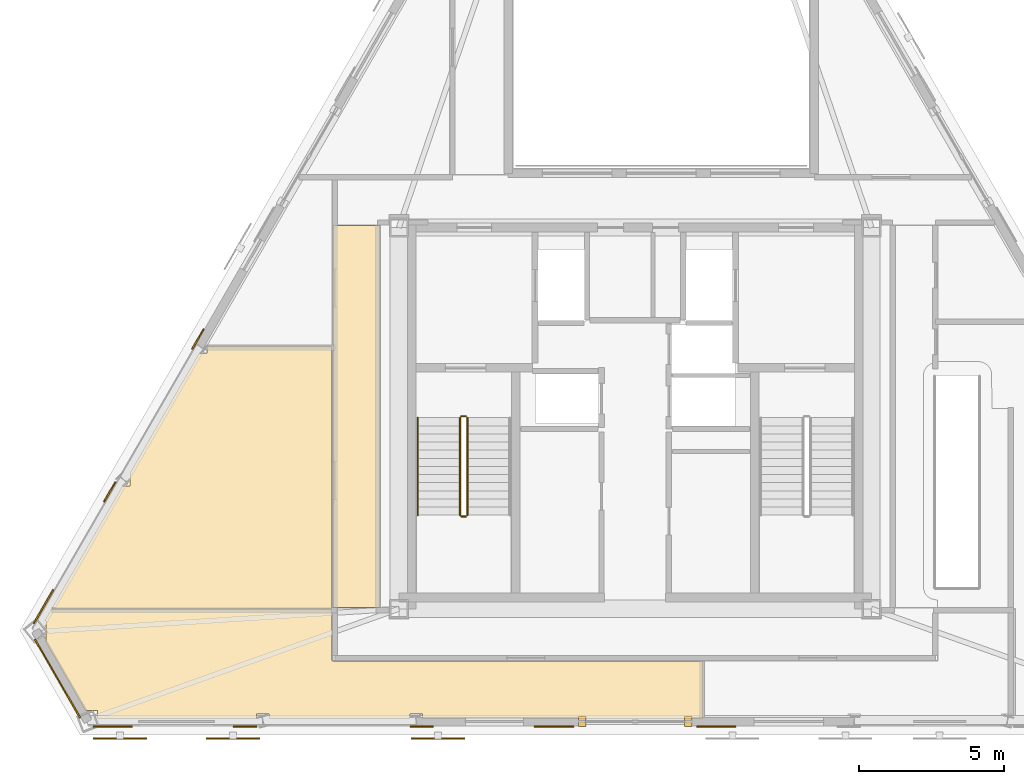
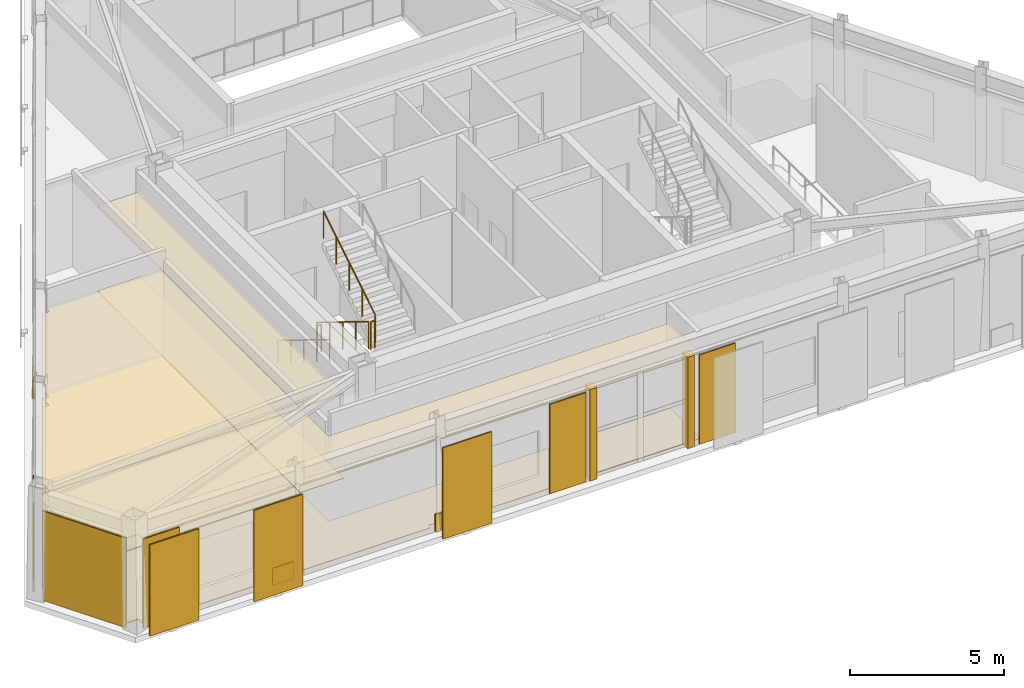
# One storey, part 12 of 14: 17 coverings, 5 railings, 3 shading devices.
"""IFC4 building model written with IfcOpenShell, lengths in metres."""

from ifc_helpers import new_model, si_unit, direction, frame, origin, origin_2d, place, context, subcontext, project, spatial, polyline, rectangle, circle, outline, extrude, material, layer, layer_set, type_object, element, save


model = new_model("IFC4")

# Units and contexts
model_context = context("Model", 3, precision=1e-05, world=origin(), true_north=direction((0.0, 1.0)))
body_context = subcontext(model_context, "Body", "Model", "MODEL_VIEW")
ifc_project = project(units=[si_unit("LENGTHUNIT", "METRE"), si_unit("AREAUNIT", "SQUARE_METRE"), si_unit("VOLUMEUNIT", "CUBIC_METRE"), si_unit("PLANEANGLEUNIT", "RADIAN"), si_unit("MASSUNIT", "GRAM", prefix="KILO")], contexts=[model_context])

# Site, building, storey
site_placement = place(None, origin())
site = spatial("IfcSite", under=ifc_project, at=site_placement, CompositionType="ELEMENT")
building_placement = place(site_placement, origin())
building = spatial("IfcBuilding", under=site, at=building_placement, Name="Oramaril Tower", CompositionType="ELEMENT")
storey_placement = place(building_placement, frame((0.0, 0.0, 309.60009765625)))
storey = spatial("IfcBuildingStorey", under=building, at=storey_placement, Name="L81", CompositionType="ELEMENT", Elevation=309.60009765625)

# Coverings
ifc_material_1 = material(Name="Mineral Fibre Acoustic Ceiling")
ifc_layer_1 = layer(ifc_material_1, 0.02001953125)
ifc_layer_set_1 = layer_set([ifc_layer_1], Name="CVT-CEIL")
covering_type_1 = type_object("IfcCoveringType", Name="CVT-CEIL", PredefinedType="CEILING", material=ifc_layer_set_1)
covering_1_placement = place(storey_placement, frame((0.0, 0.0, 3.371826171875)))
element("IfcCovering", 1, at=covering_1_placement, inside=storey, type_object=covering_type_1, Name="L81 Acoustic Suspended Ceiling 3", PredefinedType="CEILING", context=body_context, shape_type="SweptSolid", body=[
    extrude(outline(polyline([(28.699951171875, 11.050048828125), (27.070068359375, 11.050048828125), (27.070068359375, 24.219970703125), (28.699951171875, 24.219970703125), (28.699951171875, 11.050048828125)])), origin(), (0.0, 0.0, 1.0), 0.02001953125),
])
covering_2_placement = place(storey_placement, frame((0.0, 0.0, 3.371826171875)))
element("IfcCovering", 2, at=covering_2_placement, inside=storey, type_object=covering_type_1, Name="L81 Acoustic Suspended Ceiling 6", PredefinedType="CEILING", context=body_context, shape_type="SweptSolid", body=[
    extrude(outline(polyline([(39.842041015625, 7.21728515625), (30.157958984375, 7.21728515625), (30.157958984375, 7.370849609375), (29.736572265625, 7.370849609375), (29.736572265625, 7.21728515625), (24.873779296875, 7.21728515625), (24.873779296875, 7.370849609375), (24.446533203125, 7.370849609375), (24.446533203125, 7.21728515625), (18.948486328125, 7.21728515625), (18.948486328125, 7.484375), (18.53662109375, 7.484375), (17.14990234375, 9.88623046875), (17.171142578125, 9.88623046875), (17.171142578125, 10.572021484375), (17.123291015625, 10.572021484375), (17.36572265625, 10.991943359375), (27.050048828125, 10.991943359375), (27.050048828125, 9.219970703125), (27.050048828125, 9.218017578125), (27.05029296875, 9.216064453125), (27.05078125, 9.214111328125), (27.051513671875, 9.21240234375), (27.052490234375, 9.210693359375), (27.053466796875, 9.208984375), (27.054443359375, 9.207275390625), (27.055908203125, 9.205810546875), (27.057373046875, 9.20458984375), (27.058837890625, 9.203369140625), (27.060546875, 9.202392578125), (27.062255859375, 9.201416015625), (27.064208984375, 9.200927734375), (27.066162109375, 9.200439453125), (27.068115234375, 9.2001953125), (27.070068359375, 9.199951171875), (39.842041015625, 9.199951171875), (39.842041015625, 7.21728515625)])), origin(), (0.0, 0.0, 1.0), 0.02001953125),
])
covering_3_placement = place(storey_placement, frame((0.0, 0.0, 3.371826171875)))
element("IfcCovering", 3, at=covering_3_placement, inside=storey, type_object=covering_type_1, Name="L81 Acoustic Suspended Ceiling 8", PredefinedType="CEILING", context=body_context, shape_type="SweptSolid", body=[
    extrude(outline(polyline([(19.81591796875, 15.235595703125), (20.080322265625, 15.235595703125), (20.080322265625, 15.6884765625), (20.077392578125, 15.6884765625), (22.460693359375, 19.816650390625), (22.725341796875, 19.816650390625), (22.725341796875, 20.0419921875), (27.050048828125, 20.0419921875), (27.050048828125, 11.050048828125), (27.050048828125, 11.048095703125), (27.05029296875, 11.046142578125), (27.05078125, 11.044189453125), (27.051513671875, 11.042236328125), (27.052490234375, 11.04052734375), (27.052734375, 11.0400390625), (27.052490234375, 11.039306640625), (27.051513671875, 11.03759765625), (27.05078125, 11.035888671875), (27.05029296875, 11.033935546875), (27.050048828125, 11.031982421875), (27.050048828125, 11.030029296875), (27.050048828125, 11.011962890625), (17.37744140625, 11.011962890625), (19.81591796875, 15.235595703125)])), origin(), (0.0, 0.0, 1.0), 0.02001953125),
])
ifc_material_2 = material(Name="Warm Cream Limestone", Category="masonry")
ifc_layer_2 = layer(ifc_material_2, 0.050048828125)
ifc_layer_set_2 = layer_set([ifc_layer_2], Name="CVT-CLD")
covering_type_2 = type_object("IfcCoveringType", Name="CVT-CLD", PredefinedType="CLADDING", material=ifc_layer_set_2)
covering_4_placement = place(storey_placement, frame((17.57568359375, 8.5966796875, 0.039794921875), z_axis=(0.0, 0.0, 1.0), x_axis=(0.499989419466, -0.866031512372, 0.0)))
element("IfcCovering", 4, at=covering_4_placement, inside=storey, type_object=covering_type_2, Name="L81 Warm Cream Limestone Cladding", PredefinedType="CLADDING", context=body_context, shape_type="SweptSolid", body=[
    extrude(rectangle(XDim=3.129150390625, YDim=0.050048828125, at=origin_2d()), origin(), (0.0, 0.0, 1.0), 3.5380859375),
])
for number, where, z_axis, x_axis, name in (
    (5, (35.669921875, 7.109130859375, 0.0), (0.0, 0.0, 1.0), (1.0, 0.0, 0.0), "L81 Curtain Wall Limestone Jamb Closure"),
    (6, (39.330078125, 7.109130859375, 0.0), (0.0, 0.0, 1.0), (1.0, 0.0, 0.0), "L81 Curtain Wall Limestone Jamb Closure"),
):
    element("IfcCovering", number, at=place(storey_placement, frame(where, z_axis=z_axis, x_axis=x_axis)), inside=storey, type_object=covering_type_2, Name=name, PredefinedType="CLADDING", context=body_context, shape_type="SweptSolid", body=[
        extrude(rectangle(XDim=0.260009765625, YDim=0.340087890625, at=origin_2d()), origin(), (0.0, 0.0, 1.0), 3.617919921875),
    ])
for number, where, z_axis, x_axis, name in (
    (7, (19.478515625, 6.941162109375, 0.039794921875), (0.0, 0.0, 1.0), (1.0, 0.0, 0.0), "L81 Warm Cream Limestone Cladding"),
    (8, (34.699951171875, 6.941162109375, 0.039794921875), (0.0, 0.0, 1.0), (1.0, 0.0, 0.0), "L81 Warm Cream Limestone Cladding"),
):
    element("IfcCovering", number, at=place(storey_placement, frame(where, z_axis=z_axis, x_axis=x_axis)), inside=storey, type_object=covering_type_2, Name=name, PredefinedType="CLADDING", context=body_context, shape_type="SweptSolid", body=[
        extrude(rectangle(XDim=1.35009765625, YDim=0.050048828125, at=origin_2d()), origin(), (0.0, 0.0, 1.0), 3.5380859375),
    ])
for number, where, z_axis, x_axis, name in (
    (9, (24.043212890625, 6.941162109375, 0.0400390625), (0.0, 0.0, 1.0), (1.0, 0.0, 0.0), "L81 Warm Cream Limestone Spandrel Cladding"),
    (10, (30.135009765625, 6.941162109375, 0.0400390625), (0.0, 0.0, 1.0), (1.0, 0.0, 0.0), "L81 Warm Cream Limestone Spandrel Cladding"),
):
    element("IfcCovering", number, at=place(storey_placement, frame(where, z_axis=z_axis, x_axis=x_axis)), inside=storey, type_object=covering_type_2, Name=name, PredefinedType="CLADDING", context=body_context, shape_type="SweptSolid", body=[
        extrude(rectangle(XDim=0.800048828125, YDim=0.050048828125, at=origin_2d()), origin(), (0.0, 0.0, 1.0), 0.679931640625),
    ])
for number, where, z_axis, x_axis, name in (
    (11, (40.300048828125, 6.941162109375, 0.039794921875), (0.0, 0.0, 1.0), (1.0, 0.0, 0.0), "L81 Warm Cream Limestone Cladding"),
    (12, (17.093505859375, 11.072265625, 0.039794921875), (0.0, 0.0, 1.0), (-0.5, -0.866025403784, 0.0), "L81 Warm Cream Limestone Cladding"),
):
    element("IfcCovering", number, at=place(storey_placement, frame(where, z_axis=z_axis, x_axis=x_axis)), inside=storey, type_object=covering_type_2, Name=name, PredefinedType="CLADDING", context=body_context, shape_type="SweptSolid", body=[
        extrude(rectangle(XDim=1.35009765625, YDim=0.050048828125, at=origin_2d()), origin(), (0.0, 0.0, 1.0), 3.5380859375),
    ])
for number, where, z_axis, x_axis, name in (
    (13, (22.421630859375, 20.30126953125, 0.0400390625), (0.0, 0.0, 1.0), (-0.5, -0.866025403784, 0.0), "L81 Warm Cream Limestone Spandrel Cladding"),
    (14, (19.375732421875, 15.025634765625, 0.0400390625), (0.0, 0.0, 1.0), (-0.5, -0.866025403784, 0.0), "L81 Warm Cream Limestone Spandrel Cladding"),
):
    element("IfcCovering", number, at=place(storey_placement, frame(where, z_axis=z_axis, x_axis=x_axis)), inside=storey, type_object=covering_type_2, Name=name, PredefinedType="CLADDING", context=body_context, shape_type="SweptSolid", body=[
        extrude(rectangle(XDim=0.800048828125, YDim=0.050048828125, at=origin_2d()), origin(), (0.0, 0.0, 1.0), 0.679931640625),
    ])
ifc_material_3 = material(Name="Honed Quartzite Stone Flooring", Category="masonry")
ifc_layer_3 = layer(ifc_material_3, 0.02490234375)
ifc_layer_set_3 = layer_set([ifc_layer_3], Name="CVT-FLR")
covering_type_3 = type_object("IfcCoveringType", Name="CVT-FLR", PredefinedType="FLOORING", material=ifc_layer_set_3)
covering_5_placement = place(storey_placement, origin())
element("IfcCovering", 15, at=covering_5_placement, inside=storey, type_object=covering_type_3, Name="L81 Honed Stone Floor Finish 3", PredefinedType="FLOORING", context=body_context, shape_type="SweptSolid", body=[
    extrude(outline(polyline([(28.699951171875, 11.050048828125), (27.070068359375, 11.050048828125), (27.070068359375, 24.219970703125), (28.699951171875, 24.219970703125), (28.699951171875, 11.050048828125)])), origin(), (0.0, 0.0, 1.0), 0.02490234375),
])
covering_6_placement = place(storey_placement, origin())
element("IfcCovering", 16, at=covering_6_placement, inside=storey, type_object=covering_type_3, Name="L81 Honed Stone Floor Finish 6", PredefinedType="FLOORING", context=body_context, shape_type="SweptSolid", body=[
    extrude(outline(polyline([(39.842041015625, 7.21728515625), (30.157958984375, 7.21728515625), (30.157958984375, 7.370849609375), (29.736572265625, 7.370849609375), (29.736572265625, 7.21728515625), (24.873779296875, 7.21728515625), (24.873779296875, 7.370849609375), (24.446533203125, 7.370849609375), (24.446533203125, 7.21728515625), (18.948486328125, 7.21728515625), (18.948486328125, 7.484375), (18.53662109375, 7.484375), (17.14990234375, 9.88623046875), (17.171142578125, 9.88623046875), (17.171142578125, 10.572021484375), (17.123291015625, 10.572021484375), (17.36572265625, 10.991943359375), (27.050048828125, 10.991943359375), (27.050048828125, 9.219970703125), (27.050048828125, 9.218017578125), (27.05029296875, 9.216064453125), (27.05078125, 9.214111328125), (27.051513671875, 9.21240234375), (27.052490234375, 9.210693359375), (27.053466796875, 9.208984375), (27.054443359375, 9.207275390625), (27.055908203125, 9.205810546875), (27.057373046875, 9.20458984375), (27.058837890625, 9.203369140625), (27.060546875, 9.202392578125), (27.062255859375, 9.201416015625), (27.064208984375, 9.200927734375), (27.066162109375, 9.200439453125), (27.068115234375, 9.2001953125), (27.070068359375, 9.199951171875), (39.842041015625, 9.199951171875), (39.842041015625, 7.21728515625)])), origin(), (0.0, 0.0, 1.0), 0.02490234375),
])
covering_7_placement = place(storey_placement, origin())
element("IfcCovering", 17, at=covering_7_placement, inside=storey, type_object=covering_type_3, Name="L81 Honed Stone Floor Finish 8", PredefinedType="FLOORING", context=body_context, shape_type="SweptSolid", body=[
    extrude(outline(polyline([(19.81591796875, 15.235595703125), (20.080322265625, 15.235595703125), (20.080322265625, 15.6884765625), (20.077392578125, 15.6884765625), (22.460693359375, 19.816650390625), (22.725341796875, 19.816650390625), (22.725341796875, 20.0419921875), (27.050048828125, 20.0419921875), (27.050048828125, 11.050048828125), (27.050048828125, 11.048095703125), (27.05029296875, 11.046142578125), (27.05078125, 11.044189453125), (27.051513671875, 11.042236328125), (27.052490234375, 11.04052734375), (27.052734375, 11.0400390625), (27.052490234375, 11.039306640625), (27.051513671875, 11.03759765625), (27.05078125, 11.035888671875), (27.05029296875, 11.033935546875), (27.050048828125, 11.031982421875), (27.050048828125, 11.030029296875), (27.050048828125, 11.011962890625), (17.37744140625, 11.011962890625), (19.81591796875, 15.235595703125)])), origin(), (0.0, 0.0, 1.0), 0.02490234375),
])

# Railings
ifc_material_4 = material(Name="Stainless Steel 316L", Category="steel")
railing_type_1 = type_object("IfcRailingType", Name="RLT-GRD", PredefinedType="GUARDRAIL", material=ifc_material_4)
railing_1_placement = place(storey_placement, frame((31.4599609375, 17.590087890625, 0.173095703125)))
element("IfcRailing", 18, at=railing_1_placement, inside=storey, type_object=railing_type_1, Name="L81 ST-1 stair guard 1", PredefinedType="GUARDRAIL", context=body_context, shape_type="SweptSolid", body=[
    extrude(circle(Radius=0.02392578125, at=origin_2d()), frame((0.0, 0.0, 1.076171875), z_axis=(0.0, -0.850623216509, 0.525775754039), x_axis=(1.0, 0.0, 0.0)), (0.0, 0.0, 1.0), 3.9501953125),
    extrude(circle(Radius=0.02099609375, at=origin_2d()), origin(), (0.0, 0.0, 1.0), 1.052001953125),
    extrude(circle(Radius=0.02099609375, at=origin_2d()), frame((0.0, -0.840087890625, 0.519287109375)), (0.0, 0.0, 1.0), 1.052001953125),
    extrude(circle(Radius=0.02099609375, at=origin_2d()), frame((0.0, -1.68017578125, 1.03857421875)), (0.0, 0.0, 1.0), 1.052001953125),
    extrude(circle(Radius=0.02099609375, at=origin_2d()), frame((0.0, -2.52001953125, 1.5576171875)), (0.0, 0.0, 1.0), 1.052001953125),
    extrude(circle(Radius=0.02099609375, at=origin_2d()), frame((0.0, -3.360107421875, 2.076904296875)), (0.0, 0.0, 1.0), 1.052001953125),
])
railing_2_placement = place(storey_placement, frame((31.510009765625, 14.179931640625, 2.25)))
element("IfcRailing", 19, at=railing_2_placement, inside=storey, type_object=railing_type_1, Name="L81 ST-1 stair guard 2", PredefinedType="GUARDRAIL", context=body_context, shape_type="SweptSolid", body=[
    extrude(circle(Radius=0.02392578125, at=origin_2d()), frame((0.0, 0.0, 1.076171875), z_axis=(1.0, 0.0, 0.0), x_axis=(0.0, 1.0, 0.0)), (0.0, 0.0, 1.0), 0.14990234375),
    extrude(circle(Radius=0.02099609375, at=origin_2d()), origin(), (0.0, 0.0, 1.0), 1.052001953125),
    extrude(circle(Radius=0.02099609375, at=origin_2d()), frame((0.14990234375, 0.0, 0.0)), (0.0, 0.0, 1.0), 1.052001953125),
])
railing_3_placement = place(storey_placement, frame((31.7099609375, 14.22998046875, 2.423095703125)))
element("IfcRailing", 20, at=railing_3_placement, inside=storey, type_object=railing_type_1, Name="L81 ST-1 stair guard 3", PredefinedType="GUARDRAIL", context=body_context, shape_type="SweptSolid", body=[
    extrude(circle(Radius=0.02392578125, at=origin_2d()), frame((0.0, 0.0, 1.076171875), z_axis=(0.0, 0.850623216509, 0.525775754039), x_axis=(-1.0, 0.0, 0.0)), (0.0, 0.0, 1.0), 3.9501953125),
    extrude(circle(Radius=0.02099609375, at=origin_2d()), origin(), (0.0, 0.0, 1.0), 1.052001953125),
    extrude(circle(Radius=0.02099609375, at=origin_2d()), frame((0.0, 0.840087890625, 0.519287109375)), (0.0, 0.0, 1.0), 1.052001953125),
    extrude(circle(Radius=0.02099609375, at=origin_2d()), frame((0.0, 1.68017578125, 1.03857421875)), (0.0, 0.0, 1.0), 1.052001953125),
    extrude(circle(Radius=0.02099609375, at=origin_2d()), frame((0.0, 2.52001953125, 1.5576171875)), (0.0, 0.0, 1.0), 1.052001953125),
    extrude(circle(Radius=0.02099609375, at=origin_2d()), frame((0.0, 3.360107421875, 2.076904296875)), (0.0, 0.0, 1.0), 1.052001953125),
])
railing_4_placement = place(storey_placement, frame((31.510009765625, 17.639892578125, 0.0)))
element("IfcRailing", 21, at=railing_4_placement, inside=storey, type_object=railing_type_1, Name="L81 ST-1 stair guard 4", PredefinedType="GUARDRAIL", context=body_context, shape_type="SweptSolid", body=[
    extrude(circle(Radius=0.02392578125, at=origin_2d()), frame((0.0, 0.0, 1.076171875), z_axis=(1.0, 0.0, 0.0), x_axis=(0.0, 1.0, 0.0)), (0.0, 0.0, 1.0), 0.14990234375),
    extrude(circle(Radius=0.02099609375, at=origin_2d()), origin(), (0.0, 0.0, 1.0), 1.052001953125),
    extrude(circle(Radius=0.02099609375, at=origin_2d()), frame((0.14990234375, 0.0, 0.0)), (0.0, 0.0, 1.0), 1.052001953125),
])
ifc_material_5 = material(Name="Stainless Steel 316L", Category="steel")
railing_type_2 = type_object("IfcRailingType", Name="RLT-HND", PredefinedType="HANDRAIL", material=ifc_material_5)
railing_5_placement = place(storey_placement, frame((30.0, 17.590087890625, 0.173095703125)))
element("IfcRailing", 22, at=railing_5_placement, inside=storey, type_object=railing_type_2, Name="L81 ST-1 stair handrail 1", PredefinedType="HANDRAIL", context=body_context, shape_type="SweptSolid", body=[
    extrude(circle(Radius=0.02392578125, at=origin_2d()), frame((0.0, 0.0, 0.8759765625), z_axis=(0.0, -0.850623216509, 0.525775754039), x_axis=(1.0, 0.0, 0.0)), (0.0, 0.0, 1.0), 3.9501953125),
    extrude(circle(Radius=0.02099609375, at=origin_2d()), origin(), (0.0, 0.0, 1.0), 0.851806640625),
    extrude(circle(Radius=0.02099609375, at=origin_2d()), frame((0.0, -0.840087890625, 0.519287109375)), (0.0, 0.0, 1.0), 0.851806640625),
    extrude(circle(Radius=0.02099609375, at=origin_2d()), frame((0.0, -1.68017578125, 1.03857421875)), (0.0, 0.0, 1.0), 0.851806640625),
    extrude(circle(Radius=0.02099609375, at=origin_2d()), frame((0.0, -2.52001953125, 1.5576171875)), (0.0, 0.0, 1.0), 0.851806640625),
    extrude(circle(Radius=0.02099609375, at=origin_2d()), frame((0.0, -3.360107421875, 2.076904296875)), (0.0, 0.0, 1.0), 0.851806640625),
])

# Shading devices
for number, where, z_axis, x_axis, name in (
    (23, (19.731201171875, 6.529296875, -0.02001953125), (0.0, 0.0, 1.0), (1.0, 0.0, 0.0), "L81 Perforated Ceramic Solar Screen"),
    (24, (23.631103515625, 6.529296875, -0.02001953125), (0.0, 0.0, 1.0), (1.0, 0.0, 0.0), "L81 Perforated Ceramic Solar Screen"),
    (25, (30.697265625, 6.529296875, -0.02001953125), (0.0, 0.0, 1.0), (1.0, 0.0, 0.0), "L81 Perforated Ceramic Solar Screen"),
):
    element("IfcShadingDevice", number, at=place(storey_placement, frame(where, z_axis=z_axis, x_axis=x_axis)), inside=storey, Name=name, ObjectType="SCREEN", PredefinedType="USERDEFINED", context=body_context, shape_type="SweptSolid", body=[
        extrude(rectangle(XDim=1.8330078125, YDim=0.050048828125, at=origin_2d()), origin(), (0.0, 0.0, 1.0), 3.617919921875),
    ])

save(model, "model.ifc")
